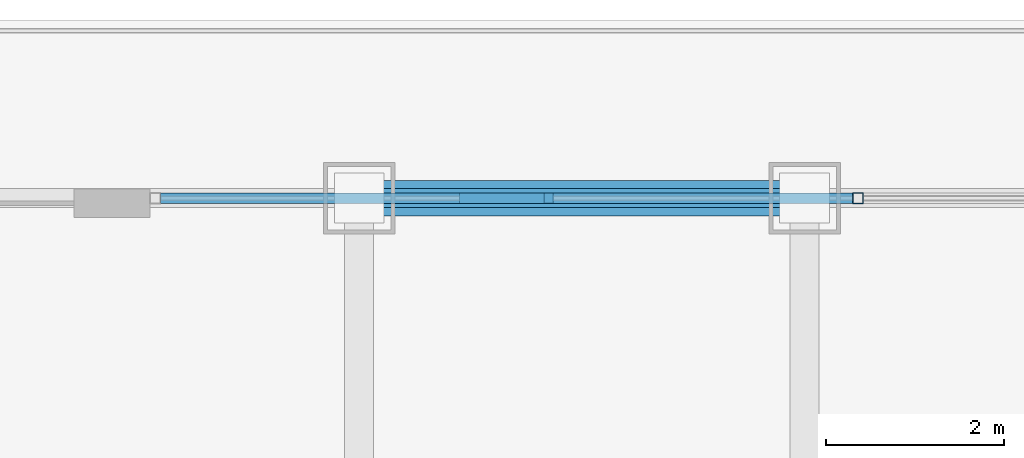
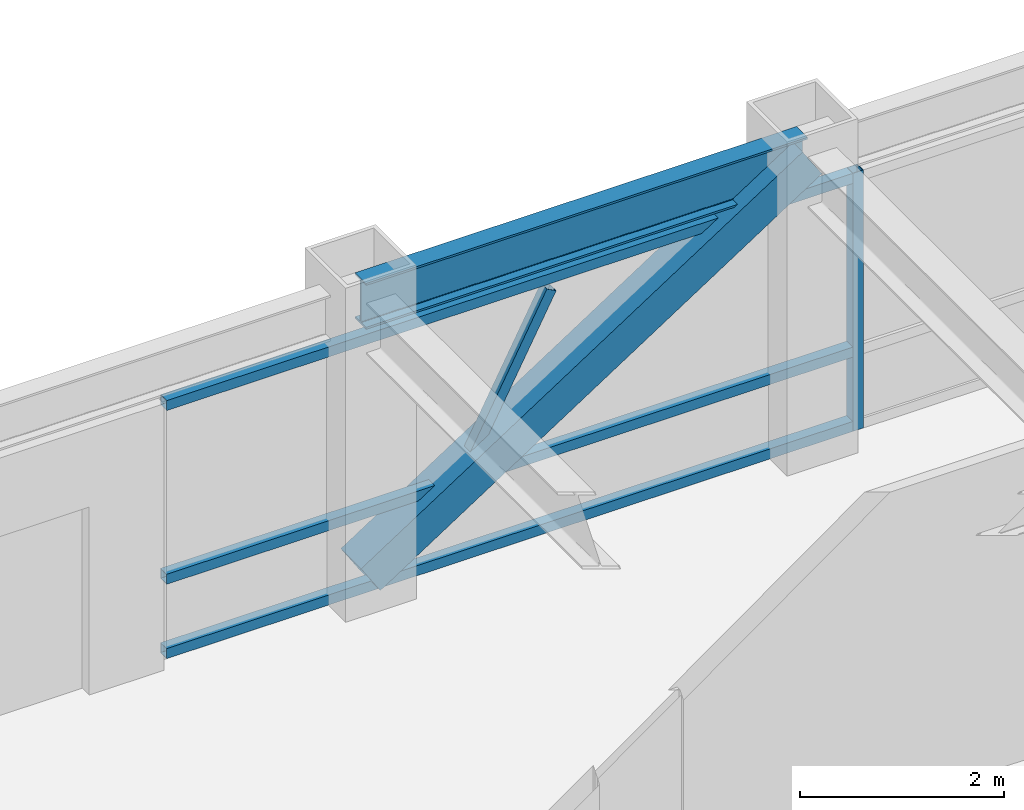
# One storey, part 21 of 30: 6 members, 1 beam, 1 element without a shape of its own.
"""IFC4 building model written with IfcOpenShell, lengths in metres."""

from ifc_helpers import new_model, si_unit, direction, frame, origin, origin_2d, place, context, subcontext, project, spatial, hollow_rectangle, i_section, extrude, source, transform, mapped, material, material_profile, profile_set, type_object, element, aggregate, save


model = new_model("IFC4")

# Units and contexts
model_context = context("Model", 3, precision=1e-05, world=origin(), true_north=direction((0.0, 1.0)))
body_context = subcontext(model_context, "Body", "Model", "MODEL_VIEW")
ifc_project = project(units=[si_unit("LENGTHUNIT", "METRE"), si_unit("AREAUNIT", "SQUARE_METRE"), si_unit("VOLUMEUNIT", "CUBIC_METRE"), si_unit("PLANEANGLEUNIT", "RADIAN"), si_unit("MASSUNIT", "GRAM", prefix="KILO")], contexts=[model_context])

# Site, building, storey
site_placement = place(None, origin())
site = spatial("IfcSite", under=ifc_project, at=site_placement, CompositionType="ELEMENT")
building_placement = place(site_placement, origin())
building = spatial("IfcBuilding", under=site, at=building_placement, Name="Khorayat Bourse Tower", CompositionType="ELEMENT")
storey_placement = place(building_placement, frame((0.0, 0.0, 326.300048828125)))
storey = spatial("IfcBuildingStorey", under=building, at=storey_placement, Name="L77", CompositionType="ELEMENT", Elevation=326.300048828125)

# Beam
ifc_material_1 = material(Name="Steel ASTM A992 Grade 50", Category="steel")
ifc_material_profile_1 = material_profile(ifc_material_1, i_section(OverallWidth=0.214111328125, OverallDepth=0.549072265625, WebThickness=0.0146484375, FlangeThickness=0.023681640625, FilletRadius=0.013916015625, at=origin_2d()), Name="W530X138")
ifc_profile_set_1 = profile_set([ifc_material_profile_1], Name="Steel ASTM A992 Grade 50")
beam_type = type_object("IfcBeamType", Name="BM-SPAN-530", PredefinedType="SPANDREL", material=ifc_profile_set_1)
shared_shape_1 = source(origin(), body_context, "Body", "SweptSolid", [
    extrude(i_section(OverallWidth=0.214111328125, OverallDepth=0.549072265625, WebThickness=0.0146484375, FlangeThickness=0.023681640625, FilletRadius=0.013916015625, at=origin_2d()), origin(), (0.0, 0.0, 1.0), 5.0),
])
beam_placement = place(storey_placement, frame((6.0, 26.0, 3.46533203125), z_axis=(1.0, 0.0, 0.0), x_axis=(0.0, 1.0, 0.0)))
element("IfcBeam", 1, at=beam_placement, inside=storey, type_object=beam_type, Name="L77 BM-SPAN-530 BM-L77-SPN-041", PredefinedType="SPANDREL", context=body_context, shape_type="MappedRepresentation", body=[
    mapped(shared_shape_1, transform((0.0, 0.0, 0.0), scale=1.0)),
])

# Member
ifc_material_2 = material(Name="Steel EN 10025-4 S460M", Category="steel")
ifc_material_profile_2 = material_profile(ifc_material_2, hollow_rectangle(XDim=0.39990234375, YDim=0.39990234375, WallThickness=0.02197265625, at=origin_2d()), Name="HSS 400x400x22")
ifc_profile_set_2 = profile_set([ifc_material_profile_2], Name="Steel EN 10025-4 S460M")
member_type_1 = type_object("IfcMemberType", Name="MBR-TUBE-400", PredefinedType="BRACE", material=ifc_profile_set_2)
shared_shape_2 = source(origin(), body_context, "Body", "SweptSolid", [
    extrude(hollow_rectangle(XDim=0.39990234375, YDim=0.39990234375, WallThickness=0.02197265625, at=origin_2d()), origin(), (0.0, 0.0, 1.0), 5.9580078125),
])
member_1_placement = place(storey_placement, frame((6.0, 26.0, 0.25), z_axis=(0.839210474455, 0.0, 0.543806748364), x_axis=(0.0, 1.0, 0.0)))
element("IfcMember", 2, at=member_1_placement, inside=storey, type_object=member_type_1, Name="L77 Perimeter Tube Brace 04", PredefinedType="BRACE", context=body_context, shape_type="MappedRepresentation", body=[
    mapped(shared_shape_2, transform((0.0, 0.0, 0.0), scale=1.0)),
])

# Curtain wall, members
ifc_material_3 = material(Name="Aluminium EN AW-6063 T6", Category="aluminium")
curtain_wall_type = type_object("IfcCurtainWallType", Name="CW-SYS-04", PredefinedType="NOTDEFINED", material=ifc_material_3)
curtain_wall_placement = place(storey_placement, origin())
curtain_wall = element("IfcCurtainWall", 3, at=curtain_wall_placement, inside=storey, type_object=curtain_wall_type, Name="L77 Curtain Wall CW-L77-N2", PredefinedType="NOTDEFINED")
ifc_material_profile_3 = material_profile(ifc_material_3, hollow_rectangle(XDim=0.1201171875, YDim=0.1201171875, WallThickness=0.0048828125, at=origin_2d()), Name="ALU 120x120x5")
ifc_profile_set_3 = profile_set([ifc_material_profile_3], Name="Aluminium EN AW-6063 T6")
member_type_2 = type_object("IfcMemberType", Name="CWM-VERT-120", PredefinedType="MULLION", material=ifc_profile_set_3)
shared_shape_3 = source(origin(), body_context, "Body", "SweptSolid", [
    extrude(hollow_rectangle(XDim=0.1201171875, YDim=0.1201171875, WallThickness=0.0048828125, at=origin_2d()), origin(), (0.0, 0.0, 1.0), 3.08984375),
])
member_2_placement = place(storey_placement, frame((11.60009765625, 26.0, 0.0), z_axis=(0.0, 0.0, 1.0), x_axis=(0.0, 1.0, 0.0)))
member_2 = element("IfcMember", 4, at=member_2_placement, type_object=member_type_2, Name="CW-L77-N2 Vertical Mullion 2", PredefinedType="MULLION", context=body_context, shape_type="MappedRepresentation", body=[
    mapped(shared_shape_3, transform((0.0, 0.0, 0.0), scale=1.0)),
])
ifc_material_profile_4 = material_profile(ifc_material_3, hollow_rectangle(XDim=0.1201171875, YDim=0.1201171875, WallThickness=0.0048828125, at=origin_2d()), Name="ALU 120x120x5")
ifc_profile_set_4 = profile_set([ifc_material_profile_4], Name="Aluminium EN AW-6063 T6")
member_type_3 = type_object("IfcMemberType", Name="CWM-DIAG-120", PredefinedType="MULLION", material=ifc_profile_set_4)
shared_shape_4 = source(origin(), body_context, "Body", "SweptSolid", [
    extrude(hollow_rectangle(XDim=0.1201171875, YDim=0.1201171875, WallThickness=0.0048828125, at=origin_2d()), origin(), (0.0, 0.0, 1.0), 2.0341796875),
])
member_3_placement = place(storey_placement, frame((7.181396484375, 26.0, 1.08984375), z_axis=(0.465696964104, 0.0, 0.884944256789), x_axis=(0.0, 1.0, 0.0)))
member_3 = element("IfcMember", 5, at=member_3_placement, type_object=member_type_3, Name="CW-L77-N2 Faceted Diagonal Mullion 1", PredefinedType="MULLION", context=body_context, shape_type="MappedRepresentation", body=[
    mapped(shared_shape_4, transform((0.0, 0.0, 0.0), scale=1.0)),
])
ifc_material_profile_5 = material_profile(ifc_material_3, hollow_rectangle(XDim=0.1201171875, YDim=0.1201171875, WallThickness=0.0048828125, at=origin_2d()), Name="ALU 120x120x5")
ifc_profile_set_5 = profile_set([ifc_material_profile_5], Name="Aluminium EN AW-6063 T6")
member_type_4 = type_object("IfcMemberType", Name="CWT-HORZ-120", PredefinedType="USERDEFINED", material=ifc_profile_set_5)
shared_shape_5 = source(origin(), body_context, "Body", "SweptSolid", [
    extrude(hollow_rectangle(XDim=0.1201171875, YDim=0.1201171875, WallThickness=0.0048828125, at=origin_2d()), origin(), (0.0, 0.0, 1.0), 7.77001953125),
])
member_4_placement = place(storey_placement, frame((3.77001953125, 26.0, 0.06005859375), z_axis=(1.0, 0.0, 0.0), x_axis=(0.0, 1.0, 0.0)))
member_4 = element("IfcMember", 6, at=member_4_placement, type_object=member_type_4, Name="CW-L77-N2 Horizontal Transom 1-1", ObjectType="TRANSOM", PredefinedType="USERDEFINED", context=body_context, shape_type="MappedRepresentation", body=[
    mapped(shared_shape_5, transform((0.0, 0.0, 0.0), scale=1.0)),
])
member_5_placement = place(storey_placement, frame((3.77001953125, 26.0, 0.949951171875), z_axis=(1.0, 0.0, 0.0), x_axis=(0.0, 1.0, 0.0)))
member_5 = element("IfcMember", 7, at=member_5_placement, type_object=member_type_4, Name="CW-L77-N2 Horizontal Transom 1-2", ObjectType="TRANSOM", PredefinedType="USERDEFINED", context=body_context, shape_type="MappedRepresentation", body=[
    mapped(shared_shape_5, transform((0.0, 0.0, 0.0), scale=1.0)),
])
member_6_placement = place(storey_placement, frame((3.77001953125, 26.0, 3.030029296875), z_axis=(1.0, 0.0, 0.0), x_axis=(0.0, 1.0, 0.0)))
member_6 = element("IfcMember", 8, at=member_6_placement, type_object=member_type_4, Name="CW-L77-N2 Horizontal Transom 1-3", ObjectType="TRANSOM", PredefinedType="USERDEFINED", context=body_context, shape_type="MappedRepresentation", body=[
    mapped(shared_shape_5, transform((0.0, 0.0, 0.0), scale=1.0)),
])
aggregate(curtain_wall, [member_2, member_4, member_5, member_6, member_3])

save(model, "model.ifc")
